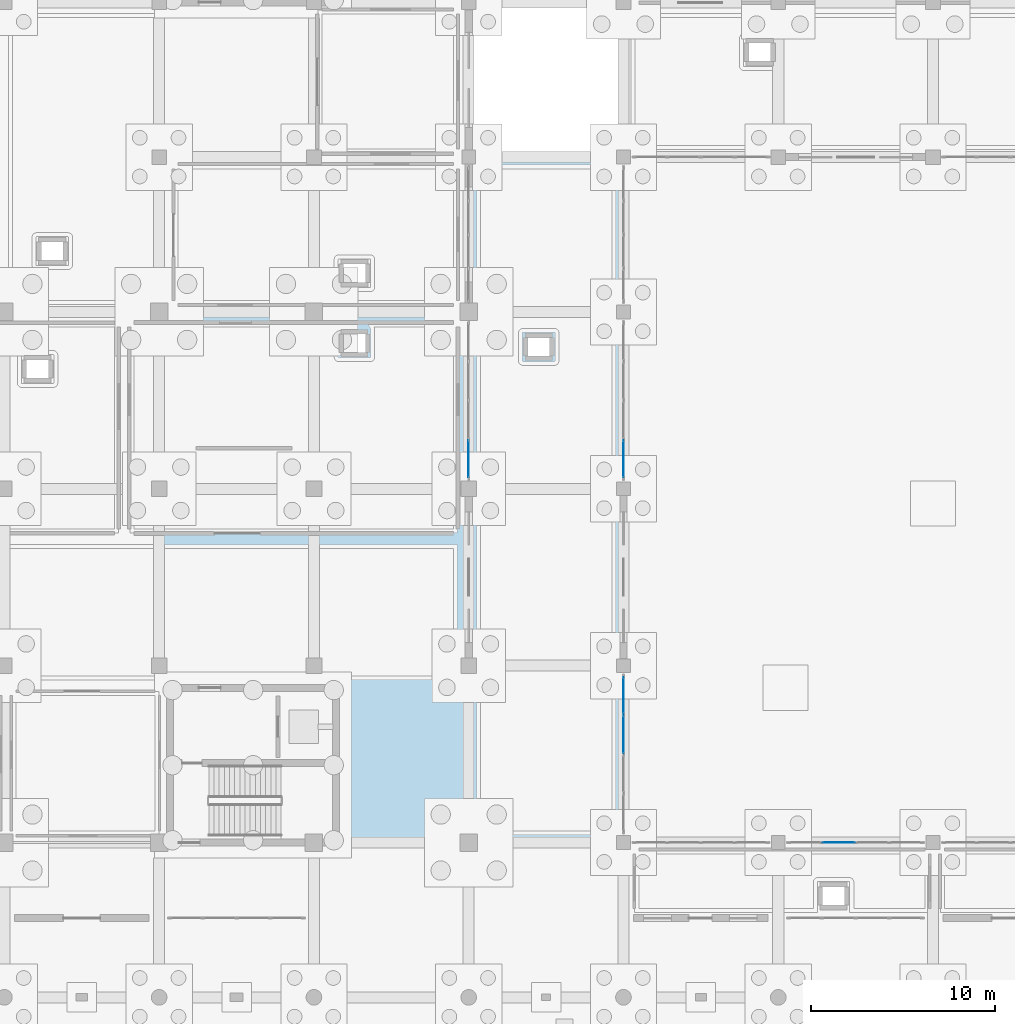
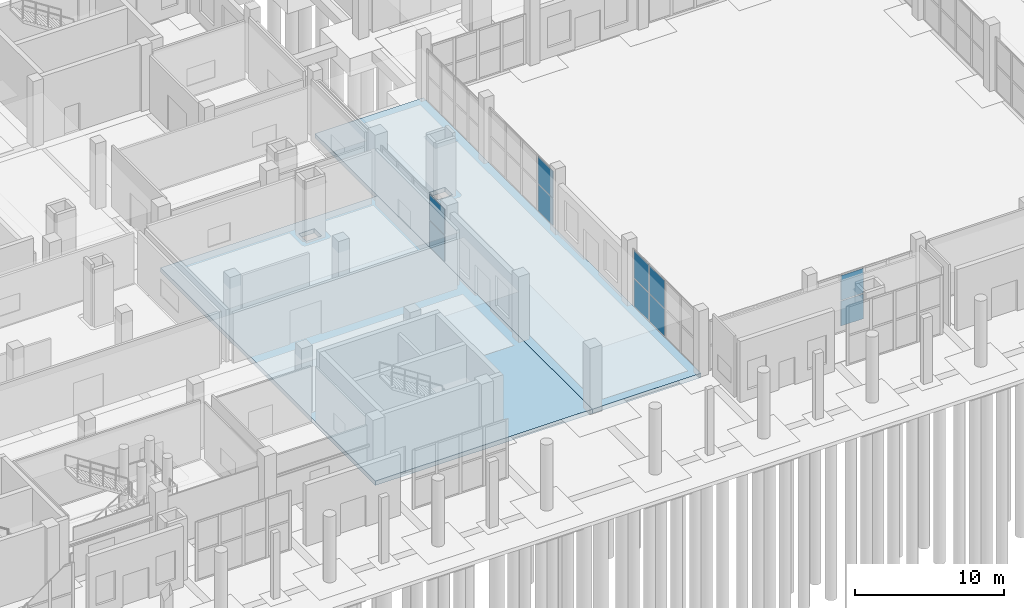
# One storey, part 31 of 65: 10 plates, 2 slabs, 4 elements without a shape of their own.
"""IFC4 building model written with IfcOpenShell, lengths in metres."""

import ifcopenshell
import ifcopenshell.guid

model = None  # the IFC model being written
_history = None  # IfcOwnerHistory: only IFC2X3 demands one
_inside = {}  # id of a spatial element -> (the spatial element, [elements in it])
_under = {}  # id of a project, library or spatial element -> (it, [spatial elements below it])
_declared = {}  # id of a project -> (the project, [libraries it declares])
_typed = {}  # id of a type object -> (the type object, [elements of that type])
_made_of = {}  # id of a material, layer set ... -> (it, [elements and type objects made of it])


def new_model(schema):
    """Start an empty IFC model of exactly this schema.

    Asked for "IFC4X3", IfcOpenShell would pick the latest addendum, in which some entities
    have other attributes; the version numbers below select the first issue.
    IFC2X3 requires an IfcOwnerHistory on every rooted entity: one is made here for all.
    """
    global model, _history
    if schema == "IFC4X3":
        model = ifcopenshell.file(schema_version=(4, 3, 0, 0))
    else:
        model = ifcopenshell.file(schema=schema)
    _inside.clear()
    _under.clear()
    _declared.clear()
    _typed.clear()
    _made_of.clear()
    _history = None
    if model.schema == "IFC2X3":
        org = make("IfcOrganization", Name="unknown")
        user = make(
            "IfcPersonAndOrganization",
            ThePerson=make("IfcPerson", FamilyName="unknown"),
            TheOrganization=org,
        )
        app = make(
            "IfcApplication",
            ApplicationDeveloper=org,
            Version="unknown",
            ApplicationFullName="unknown",
            ApplicationIdentifier="unknown",
        )
        _history = make(
            "IfcOwnerHistory",
            OwningUser=user,
            OwningApplication=app,
            ChangeAction="ADDED",
            CreationDate=0,
        )
    return model


def make(cls, **values):
    """One entity of the class cls with the attributes given. An attribute that is None is left unset."""
    return model.create_entity(
        cls, **{name: value for name, value in values.items() if value is not None}
    )


def rooted(cls, **values):
    """An entity with a GlobalId (a new one), such as an element, a storey or a relation."""
    return make(cls, GlobalId=ifcopenshell.guid.new(), OwnerHistory=_history, **values)


def si_unit(unit_type, name, prefix=None):
    """IfcSIUnit, for example si_unit("LENGTHUNIT", "METRE", prefix="MILLI")."""
    return make("IfcSIUnit", UnitType=unit_type, Prefix=prefix, Name=name)


def assignment(units):
    """IfcUnitAssignment: the units of a project."""
    return None if units is None else make("IfcUnitAssignment", Units=units)


def point(xyz):
    """IfcCartesianPoint."""
    return None if xyz is None else make("IfcCartesianPoint", Coordinates=xyz)


def direction(xyz):
    """IfcDirection."""
    return None if xyz is None else make("IfcDirection", DirectionRatios=xyz)


def frame(location, z_axis=None, x_axis=None):
    """IfcAxis2Placement3D, a coordinate frame: its origin and axes. An axis left out is left unset."""
    return make(
        "IfcAxis2Placement3D",
        Location=point(location),
        Axis=direction(z_axis),
        RefDirection=direction(x_axis),
    )


def frame_2d(location, x_axis=None):
    """IfcAxis2Placement2D, a coordinate frame in the plane: its origin and x axis."""
    return make(
        "IfcAxis2Placement2D", Location=point(location), RefDirection=direction(x_axis)
    )


def origin():
    """The frame at (0, 0, 0) with its axes left unset."""
    return frame((0.0, 0.0, 0.0))


def origin_2d():
    """The frame at (0, 0) in the plane with its x axis left unset."""
    return frame_2d((0.0, 0.0))


def place(relative_to, where):
    """IfcLocalPlacement: puts the frame where relative to a parent placement (None: the world)."""
    return make(
        "IfcLocalPlacement", PlacementRelTo=relative_to, RelativePlacement=where
    )


def context(
    kind, dimensions, precision=None, world=None, true_north=None, identifier=None
):
    """IfcGeometricRepresentationContext, for example the 3D "Model" context."""
    return make(
        "IfcGeometricRepresentationContext",
        ContextIdentifier=identifier,
        ContextType=kind,
        CoordinateSpaceDimension=dimensions,
        Precision=precision,
        WorldCoordinateSystem=world,
        TrueNorth=true_north,
    )


def subcontext(parent, identifier, kind, view, scale=None):
    """IfcGeometricRepresentationSubContext, for example "Body" below "Model"."""
    return make(
        "IfcGeometricRepresentationSubContext",
        ContextIdentifier=identifier,
        ContextType=kind,
        ParentContext=parent,
        TargetScale=scale,
        TargetView=view,
    )


def project(units=None, contexts=None):
    """IfcProject with its units and contexts."""
    return rooted(
        "IfcProject",
        Name="project",
        RepresentationContexts=contexts,
        UnitsInContext=assignment(units),
    )


def spatial(cls, under=None, at=None, **own):
    """A site, building, storey or space (cls), placed at a placement, below another one or the project."""
    s = rooted(cls, ObjectPlacement=at, **own)
    if under is not None:
        _under.setdefault(under.id(), (under, []))[1].append(s)
    return s


def polyline(points):
    """IfcPolyline through the points."""
    return make("IfcPolyline", Points=[point(p) for p in points])


def profile(cls, at=None, kind="AREA", **sizes):
    """A parametric profile (cls). Its sizes go by their IFC names, for example OverallWidth=200.0."""
    return make(cls, ProfileType=kind, Position=at, **sizes)


def rectangle(**sizes):
    """IfcRectangleProfileDef."""
    return profile("IfcRectangleProfileDef", **sizes)


def outline(outer, holes=None, kind="AREA"):
    """IfcArbitraryClosedProfileDef: a profile drawn as a closed curve; with holes, ...WithVoids."""
    if holes is None:
        return make("IfcArbitraryClosedProfileDef", ProfileType=kind, OuterCurve=outer)
    return make(
        "IfcArbitraryProfileDefWithVoids",
        ProfileType=kind,
        OuterCurve=outer,
        InnerCurves=holes,
    )


def extrude(swept, where, along, depth):
    """IfcExtrudedAreaSolid: the profile swept, set in the frame where, extruded along a direction by depth."""
    return make(
        "IfcExtrudedAreaSolid",
        SweptArea=swept,
        Position=where,
        ExtrudedDirection=direction(along),
        Depth=depth,
    )


def shape(context_of_items, identifier, shape_type, items):
    """IfcShapeRepresentation: the items that make up one representation, for example the "Body"."""
    return make(
        "IfcShapeRepresentation",
        ContextOfItems=context_of_items,
        RepresentationIdentifier=identifier,
        RepresentationType=shape_type,
        Items=items,
    )


def material(Name=None, Category=None):
    """IfcMaterial."""
    return make("IfcMaterial", Name=Name, Category=Category)


def layer(
    of_material, thickness, ventilated=None, Name=None, Category=None, Priority=None
):
    """IfcMaterialLayer: one layer of a wall or slab, of a material (None: an air gap)."""
    return make(
        "IfcMaterialLayer",
        Material=of_material,
        LayerThickness=thickness,
        IsVentilated=ventilated,
        Name=Name,
        Category=Category,
        Priority=Priority,
    )


def layer_set(layers, Name=None):
    """IfcMaterialLayerSet."""
    return make("IfcMaterialLayerSet", MaterialLayers=layers, LayerSetName=Name)


def made_of(thing, what):
    """Note that an element or type object is made of a material, layer set ...; save() writes the relation."""
    if what is not None:
        _made_of.setdefault(what.id(), (what, []))[1].append(thing)
    return thing


def type_object(cls, material=None, **own):
    """A type object (cls), such as IfcWallType, which elements share."""
    return made_of(rooted(cls, **own), material)


def element(
    cls,
    number,
    at=None,
    inside=None,
    cuts=None,
    type_object=None,
    material=None,
    context=None,
    identifier="Body",
    shape_type=None,
    held_by="IfcProductDefinitionShape",
    body=None,
    shapes=None,
    **own,
):
    """One element of the class cls, such as IfcWall. Its Tag is "e" and its number.

    at: its placement. inside: the storey or other place that contains it. cuts: it is an
    opening in that element (IfcRelVoidsElement). A single representation is given by context,
    identifier, shape_type and body (its items); several are given by shapes. held_by: the class
    of the entity that holds the representations. save() writes the other relations.
    """
    e = rooted(cls, Tag="e%d" % number, ObjectPlacement=at, **own)
    if body is not None:
        shapes = [shape(context, identifier, shape_type, body)]
    if shapes is not None:
        e.Representation = make(held_by, Representations=shapes)
    if inside is not None:
        _inside.setdefault(inside.id(), (inside, []))[1].append(e)
    if cuts is not None:
        rooted(
            "IfcRelVoidsElement", RelatingBuildingElement=cuts, RelatedOpeningElement=e
        )
    if type_object is not None:
        _typed.setdefault(type_object.id(), (type_object, []))[1].append(e)
    return made_of(e, material)


def aggregate(whole, parts):
    """IfcRelAggregates: a whole, such as a stair, and the parts it consists of."""
    return rooted("IfcRelAggregates", RelatingObject=whole, RelatedObjects=parts)


def save(model, path):
    """Write the relations noted so far, then the file.

    IfcRelAggregates (storeys below a building ...), IfcRelContainedInSpatialStructure (elements
    in a storey), IfcRelDefinesByType, IfcRelAssociatesMaterial and IfcRelDeclares: one each for
    every whole, place, type object, material and project.
    """
    for whole, parts in _under.values():
        aggregate(whole, parts)
    for where, things in _inside.values():
        rooted(
            "IfcRelContainedInSpatialStructure",
            RelatedElements=things,
            RelatingStructure=where,
        )
    for kind, things in _typed.values():
        rooted("IfcRelDefinesByType", RelatedObjects=things, RelatingType=kind)
    for what, things in _made_of.values():
        rooted("IfcRelAssociatesMaterial", RelatedObjects=things, RelatingMaterial=what)
    for by, libraries in _declared.values():
        rooted("IfcRelDeclares", RelatingContext=by, RelatedDefinitions=libraries)
    model.write(path)


model = new_model("IFC4")

# Units and contexts
model_context = context("Model", 3, precision=1e-05, world=origin(), true_north=direction((0.0, 1.0)))
body_context = subcontext(model_context, "Body", "Model", "MODEL_VIEW")
ifc_project = project(units=[si_unit("LENGTHUNIT", "METRE"), si_unit("AREAUNIT", "SQUARE_METRE"), si_unit("VOLUMEUNIT", "CUBIC_METRE"), si_unit("PLANEANGLEUNIT", "RADIAN"), si_unit("MASSUNIT", "GRAM", prefix="KILO")], contexts=[model_context])

# Site, building, storey
site_placement = place(None, origin())
site = spatial("IfcSite", under=ifc_project, at=site_placement, CompositionType="ELEMENT")
building_placement = place(site_placement, origin())
building = spatial("IfcBuilding", under=site, at=building_placement, Name="Zulmaris Art Gallery", CompositionType="ELEMENT")
storey_placement = place(building_placement, origin())
storey = spatial("IfcBuildingStorey", under=building, at=storey_placement, Name="L00", CompositionType="ELEMENT", Elevation=0.0)

# Curtain wall, plates
ifc_material_1 = material(Name="Cloister & Court Glazed Curtain Wall", Category="aluminium")
ifc_layer_1 = layer(ifc_material_1, 0.179931640625)
ifc_layer_set_1 = layer_set([ifc_layer_1], Name="Cloister & Court Glazed Curtain Wall")
curtain_wall_type = type_object("IfcCurtainWallType", Name="CW-CW03", PredefinedType="NOTDEFINED", material=ifc_layer_set_1)
curtain_wall_1_placement = place(storey_placement, origin())
curtain_wall_1 = element("IfcCurtainWall", 1, at=curtain_wall_1_placement, inside=storey, type_object=curtain_wall_type, Name="L00 curtain wall 66", PredefinedType="NOTDEFINED")
ifc_material_2 = material(Name="Triple Solar-Control Laminated Glass", Category="glass")
ifc_layer_2 = layer(ifc_material_2, 0.035888671875)
ifc_layer_set_2 = layer_set([ifc_layer_2], Name="Triple Solar-Control Laminated Glass")
plate_type = type_object("IfcPlateType", Name="CWPAN-GLZ", PredefinedType="CURTAIN_PANEL", material=ifc_layer_set_2)
plate_1_placement = place(storey_placement, frame((91.199951171875, 29.576171875, 0.0751953125), z_axis=(0.0, 0.0, 1.0), x_axis=(0.0, -1.0, 0.0)))
plate_1 = element("IfcPlate", 2, at=plate_1_placement, type_object=plate_type, Name="CW03 panel 1.1", PredefinedType="CURTAIN_PANEL", context=body_context, shape_type="SweptSolid", body=[
    extrude(rectangle(XDim=2.017578125, YDim=0.031982421875, at=origin_2d()), origin(), (0.0, 0.0, 1.0), 2.242431640625),
])
plate_2_placement = place(storey_placement, frame((91.199951171875, 29.576171875, 2.392578125), z_axis=(0.0, 0.0, 1.0), x_axis=(0.0, -1.0, 0.0)))
plate_2 = element("IfcPlate", 3, at=plate_2_placement, type_object=plate_type, Name="CW03 panel 1.2", PredefinedType="CURTAIN_PANEL", context=body_context, shape_type="SweptSolid", body=[
    extrude(rectangle(XDim=2.017578125, YDim=0.031982421875, at=origin_2d()), origin(), (0.0, 0.0, 1.0), 2.242431640625),
])
plate_3_placement = place(storey_placement, frame((91.199951171875, 27.465087890625, 0.0751953125), z_axis=(0.0, 0.0, 1.0), x_axis=(0.0, -1.0, 0.0)))
plate_3 = element("IfcPlate", 4, at=plate_3_placement, type_object=plate_type, Name="CW03 panel 2.1", PredefinedType="CURTAIN_PANEL", context=body_context, shape_type="SweptSolid", body=[
    extrude(rectangle(XDim=2.054931640625, YDim=0.031982421875, at=origin_2d()), origin(), (0.0, 0.0, 1.0), 2.242431640625),
])
plate_4_placement = place(storey_placement, frame((91.199951171875, 27.465087890625, 2.392578125), z_axis=(0.0, 0.0, 1.0), x_axis=(0.0, -1.0, 0.0)))
plate_4 = element("IfcPlate", 5, at=plate_4_placement, type_object=plate_type, Name="CW03 panel 2.2", PredefinedType="CURTAIN_PANEL", context=body_context, shape_type="SweptSolid", body=[
    extrude(rectangle(XDim=2.054931640625, YDim=0.031982421875, at=origin_2d()), origin(), (0.0, 0.0, 1.0), 2.242431640625),
])
aggregate(curtain_wall_1, [plate_1, plate_2, plate_3, plate_4])

curtain_wall_2_placement = place(storey_placement, origin())
curtain_wall_2 = element("IfcCurtainWall", 6, at=curtain_wall_2_placement, inside=storey, type_object=curtain_wall_type, Name="L00 curtain wall 67", PredefinedType="NOTDEFINED")
plate_5_placement = place(storey_placement, frame((82.800048828125, 42.423828125, 0.074951171875), z_axis=(0.0, 0.0, 1.0), x_axis=(0.0, 1.0, 0.0)))
plate_5 = element("IfcPlate", 7, at=plate_5_placement, type_object=plate_type, Name="CW03 panel 1.1", PredefinedType="CURTAIN_PANEL", context=body_context, shape_type="SweptSolid", body=[
    extrude(rectangle(XDim=2.017578125, YDim=0.031982421875, at=origin_2d()), origin(), (0.0, 0.0, 1.0), 2.107421875),
])
plate_6_placement = place(storey_placement, frame((82.800048828125, 42.423828125, 2.257568359375), z_axis=(0.0, 0.0, 1.0), x_axis=(0.0, 1.0, 0.0)))
plate_6 = element("IfcPlate", 8, at=plate_6_placement, type_object=plate_type, Name="CW03 panel 1.2", PredefinedType="CURTAIN_PANEL", context=body_context, shape_type="SweptSolid", body=[
    extrude(rectangle(XDim=2.017578125, YDim=0.031982421875, at=origin_2d()), origin(), (0.0, 0.0, 1.0), 2.107421875),
])
aggregate(curtain_wall_2, [plate_5, plate_6])

curtain_wall_3_placement = place(storey_placement, origin())
curtain_wall_3 = element("IfcCurtainWall", 9, at=curtain_wall_3_placement, inside=storey, type_object=curtain_wall_type, Name="L00 curtain wall 68", PredefinedType="NOTDEFINED")
plate_7_placement = place(storey_placement, frame((91.199951171875, 42.423828125, 0.074951171875), z_axis=(0.0, 0.0, 1.0), x_axis=(0.0, -1.0, 0.0)))
plate_7 = element("IfcPlate", 10, at=plate_7_placement, type_object=plate_type, Name="CW03 panel 4.1", PredefinedType="CURTAIN_PANEL", context=body_context, shape_type="SweptSolid", body=[
    extrude(rectangle(XDim=2.017578125, YDim=0.031982421875, at=origin_2d()), origin(), (0.0, 0.0, 1.0), 2.1826171875),
])
plate_8_placement = place(storey_placement, frame((91.199951171875, 42.423828125, 2.33251953125), z_axis=(0.0, 0.0, 1.0), x_axis=(0.0, -1.0, 0.0)))
plate_8 = element("IfcPlate", 11, at=plate_8_placement, type_object=plate_type, Name="CW03 panel 4.2", PredefinedType="CURTAIN_PANEL", context=body_context, shape_type="SweptSolid", body=[
    extrude(rectangle(XDim=2.017578125, YDim=0.031982421875, at=origin_2d()), origin(), (0.0, 0.0, 1.0), 2.1826171875),
])
aggregate(curtain_wall_3, [plate_7, plate_8])

curtain_wall_4_placement = place(storey_placement, origin())
curtain_wall_4 = element("IfcCurtainWall", 12, at=curtain_wall_4_placement, inside=storey, type_object=curtain_wall_type, Name="L00 curtain wall 186", PredefinedType="NOTDEFINED")
plate_9_placement = place(storey_placement, frame((102.885009765625, 21.60009765625, 0.0751953125), z_axis=(0.0, 0.0, 1.0), x_axis=(1.0, 0.0, 0.0)))
plate_9 = element("IfcPlate", 13, at=plate_9_placement, type_object=plate_type, Name="CW03 panel 2.1", PredefinedType="CURTAIN_PANEL", context=body_context, shape_type="SweptSolid", body=[
    extrude(rectangle(XDim=1.7548828125, YDim=0.031982421875, at=origin_2d()), origin(), (0.0, 0.0, 1.0), 2.032470703125),
])
plate_10_placement = place(storey_placement, frame((102.885009765625, 21.60009765625, 2.1826171875), z_axis=(0.0, 0.0, 1.0), x_axis=(1.0, 0.0, 0.0)))
plate_10 = element("IfcPlate", 14, at=plate_10_placement, type_object=plate_type, Name="CW03 panel 2.2", PredefinedType="CURTAIN_PANEL", context=body_context, shape_type="SweptSolid", body=[
    extrude(rectangle(XDim=1.7548828125, YDim=0.031982421875, at=origin_2d()), origin(), (0.0, 0.0, 1.0), 2.032470703125),
])
aggregate(curtain_wall_4, [plate_9, plate_10])

# Slabs
ifc_material_3 = material(Name="Concrete C40/50", Category="concrete")
ifc_layer_3 = layer(ifc_material_3, 0.360107421875)
ifc_layer_set_3 = layer_set([ifc_layer_3], Name="Concrete C40/50")
slab_type = type_object("IfcSlabType", Name="SLAB-SL-BS02", PredefinedType="BASESLAB", material=ifc_layer_set_3)
slab_1_placement = place(storey_placement, frame((0.0, 0.0, -0.360107421875)))
element("IfcSlab", 15, at=slab_1_placement, inside=storey, type_object=slab_type, Name="L00 V1-E slab", PredefinedType="BASESLAB", context=body_context, shape_type="SweptSolid", body=[
    extrude(outline(polyline([(66.0, 21.60009765625), (66.0, 50.39990234375), (82.800048828125, 50.39990234375), (82.800048828125, 21.60009765625), (66.0, 21.60009765625)]), holes=[polyline([(77.199951171875, 48.199951171875), (77.199951171875, 49.199951171875), (76.0, 49.199951171875), (76.0, 48.199951171875), (77.199951171875, 48.199951171875)])]), origin(), (0.0, 0.0, 1.0), 0.360107421875),
])
slab_2_placement = place(storey_placement, frame((0.0, 0.0, -0.360107421875)))
element("IfcSlab", 16, at=slab_2_placement, inside=storey, type_object=slab_type, Name="L00 V2-BR slab", PredefinedType="BASESLAB", context=body_context, shape_type="SweptSolid", body=[
    extrude(outline(polyline([(82.800048828125, 21.60009765625), (82.800048828125, 58.800048828125), (91.199951171875, 58.800048828125), (91.199951171875, 21.60009765625), (82.800048828125, 21.60009765625)]), holes=[polyline([(87.199951171875, 48.0), (87.199951171875, 49.0), (86.0, 49.0), (86.0, 48.0), (87.199951171875, 48.0)])]), origin(), (0.0, 0.0, 1.0), 0.360107421875),
])

save(model, "model.ifc")
